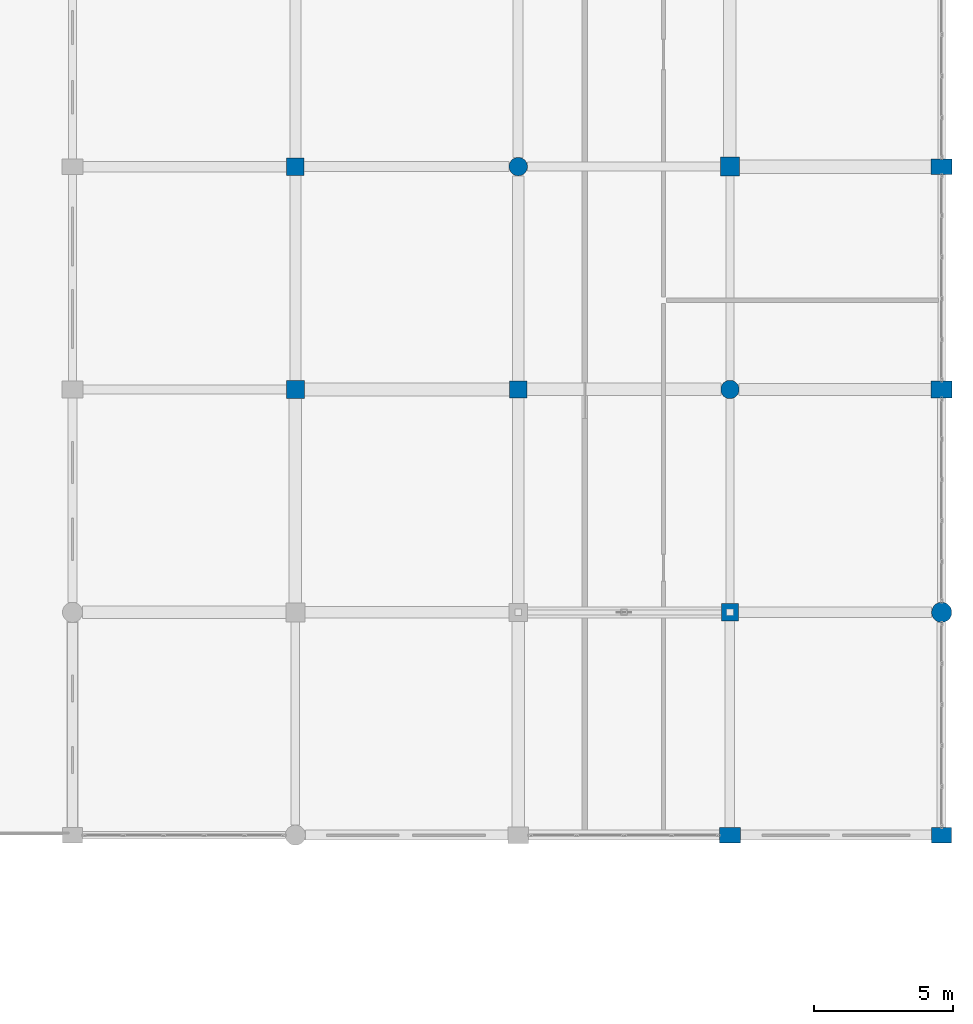
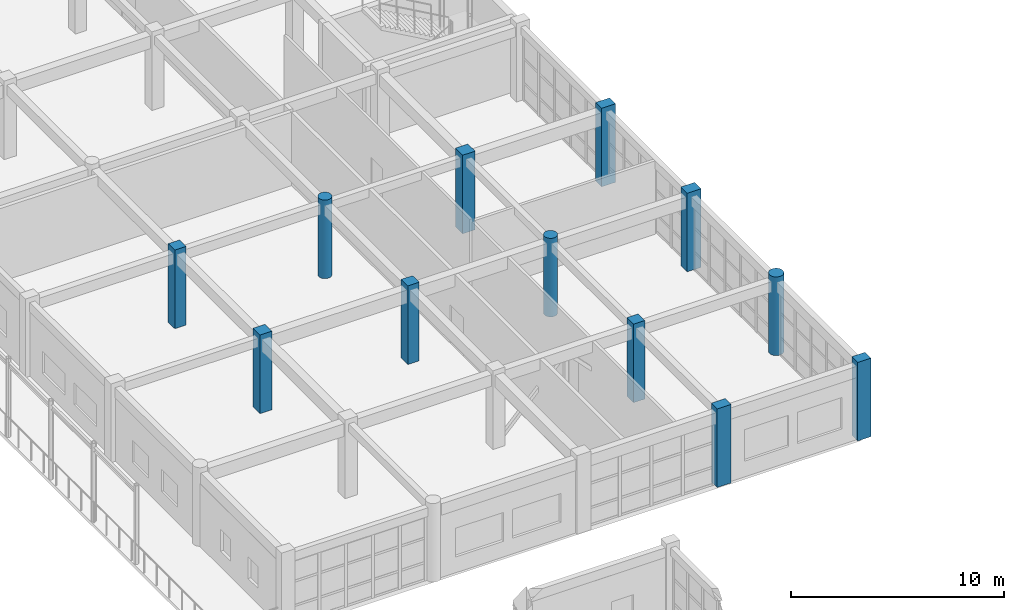
# One storey, part 30 of 160: 12 columns.
"""IFC4 building model written with IfcOpenShell, lengths in metres."""

import ifcopenshell
import ifcopenshell.guid

model = None  # the IFC model being written
_history = None  # IfcOwnerHistory: only IFC2X3 demands one
_inside = {}  # id of a spatial element -> (the spatial element, [elements in it])
_under = {}  # id of a project, library or spatial element -> (it, [spatial elements below it])
_declared = {}  # id of a project -> (the project, [libraries it declares])
_typed = {}  # id of a type object -> (the type object, [elements of that type])
_made_of = {}  # id of a material, layer set ... -> (it, [elements and type objects made of it])


def new_model(schema):
    """Start an empty IFC model of exactly this schema.

    Asked for "IFC4X3", IfcOpenShell would pick the latest addendum, in which some entities
    have other attributes; the version numbers below select the first issue.
    IFC2X3 requires an IfcOwnerHistory on every rooted entity: one is made here for all.
    """
    global model, _history
    if schema == "IFC4X3":
        model = ifcopenshell.file(schema_version=(4, 3, 0, 0))
    else:
        model = ifcopenshell.file(schema=schema)
    _inside.clear()
    _under.clear()
    _declared.clear()
    _typed.clear()
    _made_of.clear()
    _history = None
    if model.schema == "IFC2X3":
        org = make("IfcOrganization", Name="unknown")
        user = make(
            "IfcPersonAndOrganization",
            ThePerson=make("IfcPerson", FamilyName="unknown"),
            TheOrganization=org,
        )
        app = make(
            "IfcApplication",
            ApplicationDeveloper=org,
            Version="unknown",
            ApplicationFullName="unknown",
            ApplicationIdentifier="unknown",
        )
        _history = make(
            "IfcOwnerHistory",
            OwningUser=user,
            OwningApplication=app,
            ChangeAction="ADDED",
            CreationDate=0,
        )
    return model


def make(cls, **values):
    """One entity of the class cls with the attributes given. An attribute that is None is left unset."""
    return model.create_entity(
        cls, **{name: value for name, value in values.items() if value is not None}
    )


def rooted(cls, **values):
    """An entity with a GlobalId (a new one), such as an element, a storey or a relation."""
    return make(cls, GlobalId=ifcopenshell.guid.new(), OwnerHistory=_history, **values)


def si_unit(unit_type, name, prefix=None):
    """IfcSIUnit, for example si_unit("LENGTHUNIT", "METRE", prefix="MILLI")."""
    return make("IfcSIUnit", UnitType=unit_type, Prefix=prefix, Name=name)


def assignment(units):
    """IfcUnitAssignment: the units of a project."""
    return None if units is None else make("IfcUnitAssignment", Units=units)


def point(xyz):
    """IfcCartesianPoint."""
    return None if xyz is None else make("IfcCartesianPoint", Coordinates=xyz)


def direction(xyz):
    """IfcDirection."""
    return None if xyz is None else make("IfcDirection", DirectionRatios=xyz)


def frame(location, z_axis=None, x_axis=None):
    """IfcAxis2Placement3D, a coordinate frame: its origin and axes. An axis left out is left unset."""
    return make(
        "IfcAxis2Placement3D",
        Location=point(location),
        Axis=direction(z_axis),
        RefDirection=direction(x_axis),
    )


def frame_2d(location, x_axis=None):
    """IfcAxis2Placement2D, a coordinate frame in the plane: its origin and x axis."""
    return make(
        "IfcAxis2Placement2D", Location=point(location), RefDirection=direction(x_axis)
    )


def origin():
    """The frame at (0, 0, 0) with its axes left unset."""
    return frame((0.0, 0.0, 0.0))


def origin_2d():
    """The frame at (0, 0) in the plane with its x axis left unset."""
    return frame_2d((0.0, 0.0))


def place(relative_to, where):
    """IfcLocalPlacement: puts the frame where relative to a parent placement (None: the world)."""
    return make(
        "IfcLocalPlacement", PlacementRelTo=relative_to, RelativePlacement=where
    )


def context(
    kind, dimensions, precision=None, world=None, true_north=None, identifier=None
):
    """IfcGeometricRepresentationContext, for example the 3D "Model" context."""
    return make(
        "IfcGeometricRepresentationContext",
        ContextIdentifier=identifier,
        ContextType=kind,
        CoordinateSpaceDimension=dimensions,
        Precision=precision,
        WorldCoordinateSystem=world,
        TrueNorth=true_north,
    )


def subcontext(parent, identifier, kind, view, scale=None):
    """IfcGeometricRepresentationSubContext, for example "Body" below "Model"."""
    return make(
        "IfcGeometricRepresentationSubContext",
        ContextIdentifier=identifier,
        ContextType=kind,
        ParentContext=parent,
        TargetScale=scale,
        TargetView=view,
    )


def project(units=None, contexts=None):
    """IfcProject with its units and contexts."""
    return rooted(
        "IfcProject",
        Name="project",
        RepresentationContexts=contexts,
        UnitsInContext=assignment(units),
    )


def spatial(cls, under=None, at=None, **own):
    """A site, building, storey or space (cls), placed at a placement, below another one or the project."""
    s = rooted(cls, ObjectPlacement=at, **own)
    if under is not None:
        _under.setdefault(under.id(), (under, []))[1].append(s)
    return s


def profile(cls, at=None, kind="AREA", **sizes):
    """A parametric profile (cls). Its sizes go by their IFC names, for example OverallWidth=200.0."""
    return make(cls, ProfileType=kind, Position=at, **sizes)


def rectangle(**sizes):
    """IfcRectangleProfileDef."""
    return profile("IfcRectangleProfileDef", **sizes)


def circle(**sizes):
    """IfcCircleProfileDef."""
    return profile("IfcCircleProfileDef", **sizes)


def extrude(swept, where, along, depth):
    """IfcExtrudedAreaSolid: the profile swept, set in the frame where, extruded along a direction by depth."""
    return make(
        "IfcExtrudedAreaSolid",
        SweptArea=swept,
        Position=where,
        ExtrudedDirection=direction(along),
        Depth=depth,
    )


def shape(context_of_items, identifier, shape_type, items):
    """IfcShapeRepresentation: the items that make up one representation, for example the "Body"."""
    return make(
        "IfcShapeRepresentation",
        ContextOfItems=context_of_items,
        RepresentationIdentifier=identifier,
        RepresentationType=shape_type,
        Items=items,
    )


def material(Name=None, Category=None):
    """IfcMaterial."""
    return make("IfcMaterial", Name=Name, Category=Category)


def material_profile(
    of_material, cross_section, Name=None, Category=None, Priority=None
):
    """IfcMaterialProfile: a cross section and its material."""
    return make(
        "IfcMaterialProfile",
        Name=Name,
        Material=of_material,
        Profile=cross_section,
        Priority=Priority,
        Category=Category,
    )


def profile_set(profiles, Name=None, composite=None):
    """IfcMaterialProfileSet."""
    return make(
        "IfcMaterialProfileSet",
        Name=Name,
        MaterialProfiles=profiles,
        CompositeProfile=composite,
    )


def made_of(thing, what):
    """Note that an element or type object is made of a material, layer set ...; save() writes the relation."""
    if what is not None:
        _made_of.setdefault(what.id(), (what, []))[1].append(thing)
    return thing


def type_object(cls, material=None, **own):
    """A type object (cls), such as IfcWallType, which elements share."""
    return made_of(rooted(cls, **own), material)


def element(
    cls,
    number,
    at=None,
    inside=None,
    cuts=None,
    type_object=None,
    material=None,
    context=None,
    identifier="Body",
    shape_type=None,
    held_by="IfcProductDefinitionShape",
    body=None,
    shapes=None,
    **own,
):
    """One element of the class cls, such as IfcWall. Its Tag is "e" and its number.

    at: its placement. inside: the storey or other place that contains it. cuts: it is an
    opening in that element (IfcRelVoidsElement). A single representation is given by context,
    identifier, shape_type and body (its items); several are given by shapes. held_by: the class
    of the entity that holds the representations. save() writes the other relations.
    """
    e = rooted(cls, Tag="e%d" % number, ObjectPlacement=at, **own)
    if body is not None:
        shapes = [shape(context, identifier, shape_type, body)]
    if shapes is not None:
        e.Representation = make(held_by, Representations=shapes)
    if inside is not None:
        _inside.setdefault(inside.id(), (inside, []))[1].append(e)
    if cuts is not None:
        rooted(
            "IfcRelVoidsElement", RelatingBuildingElement=cuts, RelatedOpeningElement=e
        )
    if type_object is not None:
        _typed.setdefault(type_object.id(), (type_object, []))[1].append(e)
    return made_of(e, material)


def aggregate(whole, parts):
    """IfcRelAggregates: a whole, such as a stair, and the parts it consists of."""
    return rooted("IfcRelAggregates", RelatingObject=whole, RelatedObjects=parts)


def save(model, path):
    """Write the relations noted so far, then the file.

    IfcRelAggregates (storeys below a building ...), IfcRelContainedInSpatialStructure (elements
    in a storey), IfcRelDefinesByType, IfcRelAssociatesMaterial and IfcRelDeclares: one each for
    every whole, place, type object, material and project.
    """
    for whole, parts in _under.values():
        aggregate(whole, parts)
    for where, things in _inside.values():
        rooted(
            "IfcRelContainedInSpatialStructure",
            RelatedElements=things,
            RelatingStructure=where,
        )
    for kind, things in _typed.values():
        rooted("IfcRelDefinesByType", RelatedObjects=things, RelatingType=kind)
    for what, things in _made_of.values():
        rooted("IfcRelAssociatesMaterial", RelatedObjects=things, RelatingMaterial=what)
    for by, libraries in _declared.values():
        rooted("IfcRelDeclares", RelatingContext=by, RelatedDefinitions=libraries)
    model.write(path)


model = new_model("IFC4")

# Units and contexts
model_context = context("Model", 3, precision=1e-05, world=origin(), true_north=direction((0.0, 1.0)))
body_context = subcontext(model_context, "Body", "Model", "MODEL_VIEW")
ifc_project = project(units=[si_unit("LENGTHUNIT", "METRE"), si_unit("AREAUNIT", "SQUARE_METRE"), si_unit("VOLUMEUNIT", "CUBIC_METRE"), si_unit("PLANEANGLEUNIT", "RADIAN"), si_unit("MASSUNIT", "GRAM", prefix="KILO")], contexts=[model_context])

# Site, building, storey
site_placement = place(None, origin())
site = spatial("IfcSite", under=ifc_project, at=site_placement, CompositionType="ELEMENT")
building_placement = place(site_placement, origin())
building = spatial("IfcBuilding", under=site, at=building_placement, Name="Kharva Crest Polytechnic", CompositionType="ELEMENT")
storey_placement = place(building_placement, frame((0.0, 0.0, 4.5)))
storey = spatial("IfcBuildingStorey", under=building, at=storey_placement, Name="L01", CompositionType="ELEMENT", Elevation=4.5)

# Columns
ifc_material = material(Name="Concrete C40/50", Category="concrete")
ifc_material_profile_1 = material_profile(ifc_material, rectangle(XDim=0.719970703125, YDim=0.550048828125, at=origin_2d()), Name="RECT 720 X 550")
ifc_profile_set_1 = profile_set([ifc_material_profile_1], Name="Concrete C40/50")
column_type_1 = type_object("IfcColumnType", Name="COL-EXT-720X550", PredefinedType="COLUMN", material=ifc_profile_set_1)
column_1_placement = place(storey_placement, frame((184.0, 38.800048828125, 0.0), z_axis=(0.0, 0.0, 1.0), x_axis=(1.0, 0.0, 0.0)))
element("IfcColumn", 1, at=column_1_placement, inside=storey, type_object=column_type_1, Name="L01 Column 24/FJ", PredefinedType="COLUMN", context=body_context, shape_type="SweptSolid", body=[
    extrude(rectangle(XDim=0.719970703125, YDim=0.550048828125, at=origin_2d()), origin(), (0.0, 0.0, 1.0), 4.5),
])
ifc_material_profile_2 = material_profile(ifc_material, rectangle(XDim=0.75, YDim=0.550048828125, at=origin_2d()), Name="RECT 750 X 550")
ifc_profile_set_2 = profile_set([ifc_material_profile_2], Name="Concrete C40/50")
column_type_2 = type_object("IfcColumnType", Name="COL-EXT-750X550", PredefinedType="COLUMN", material=ifc_profile_set_2)
for number, where, z_axis, x_axis, name in (
    (2, (176.39990234375, 38.800048828125, 0.0), (0.0, 0.0, 1.0), (1.0, 0.0, 0.0), "L01 Column 23/FJ"),
    (3, (184.0, 62.800048828125, 0.0), (0.0, 0.0, 1.0), (1.0, 0.0, 0.0), "L01 Column 24/J"),
):
    element("IfcColumn", number, at=place(storey_placement, frame(where, z_axis=z_axis, x_axis=x_axis)), inside=storey, type_object=column_type_2, Name=name, PredefinedType="COLUMN", context=body_context, shape_type="SweptSolid", body=[
        extrude(rectangle(XDim=0.75, YDim=0.550048828125, at=origin_2d()), origin(), (0.0, 0.0, 1.0), 4.5),
    ])
ifc_material_profile_3 = material_profile(ifc_material, rectangle(XDim=0.75, YDim=0.60009765625, at=origin_2d()), Name="RECT 750 X 600")
ifc_profile_set_3 = profile_set([ifc_material_profile_3], Name="Concrete C40/50")
column_type_3 = type_object("IfcColumnType", Name="COL-EXT-750X600", PredefinedType="COLUMN", material=ifc_profile_set_3)
column_2_placement = place(storey_placement, frame((184.0, 54.800048828125, 0.0), z_axis=(0.0, 0.0, 1.0), x_axis=(1.0, 0.0, 0.0)))
element("IfcColumn", 4, at=column_2_placement, inside=storey, type_object=column_type_3, Name="L01 Column 24/H", PredefinedType="COLUMN", context=body_context, shape_type="SweptSolid", body=[
    extrude(rectangle(XDim=0.75, YDim=0.60009765625, at=origin_2d()), origin(), (0.0, 0.0, 1.0), 4.5),
])
ifc_material_profile_4 = material_profile(ifc_material, circle(Radius=0.360107421875, at=origin_2d()), Name="DIA 720")
ifc_profile_set_4 = profile_set([ifc_material_profile_4], Name="Concrete C40/50")
column_type_4 = type_object("IfcColumnType", Name="COL-EXT-DIA720", PredefinedType="COLUMN", material=ifc_profile_set_4)
column_3_placement = place(storey_placement, frame((184.0, 46.800048828125, 0.0), z_axis=(0.0, 0.0, 1.0), x_axis=(1.0, 0.0, 0.0)))
element("IfcColumn", 5, at=column_3_placement, inside=storey, type_object=column_type_4, Name="L01 Column 24/G", PredefinedType="COLUMN", context=body_context, shape_type="SweptSolid", body=[
    extrude(circle(Radius=0.360107421875, at=origin_2d()), origin(), (0.0, 0.0, 1.0), 4.5),
])
ifc_material_profile_5 = material_profile(ifc_material, rectangle(XDim=0.6201171875, YDim=0.6201171875, at=origin_2d()), Name="RECT 620 X 620")
ifc_profile_set_5 = profile_set([ifc_material_profile_5], Name="Concrete C40/50")
column_type_5 = type_object("IfcColumnType", Name="COL-INT-620X620", PredefinedType="COLUMN", material=ifc_profile_set_5)
for number, where, z_axis, x_axis, name in (
    (6, (160.800048828125, 62.800048828125, 0.0), (0.0, 0.0, 1.0), (1.0, 0.0, 0.0), "L01 Column 21/J"),
    (7, (168.800048828125, 54.800048828125, 0.0), (0.0, 0.0, 1.0), (1.0, 0.0, 0.0), "L01 Column 22/H"),
    (8, (176.39990234375, 46.800048828125, 0.0), (0.0, 0.0, 1.0), (1.0, 0.0, 0.0), "L01 Column 23/G"),
):
    element("IfcColumn", number, at=place(storey_placement, frame(where, z_axis=z_axis, x_axis=x_axis)), inside=storey, type_object=column_type_5, Name=name, PredefinedType="COLUMN", context=body_context, shape_type="SweptSolid", body=[
        extrude(rectangle(XDim=0.6201171875, YDim=0.6201171875, at=origin_2d()), origin(), (0.0, 0.0, 1.0), 4.5),
    ])
ifc_material_profile_6 = material_profile(ifc_material, rectangle(XDim=0.64990234375, YDim=0.64990234375, at=origin_2d()), Name="RECT 650 X 650")
ifc_profile_set_6 = profile_set([ifc_material_profile_6], Name="Concrete C40/50")
column_type_6 = type_object("IfcColumnType", Name="COL-INT-650X650", PredefinedType="COLUMN", material=ifc_profile_set_6)
column_4_placement = place(storey_placement, frame((160.800048828125, 54.800048828125, 0.0), z_axis=(0.0, 0.0, 1.0), x_axis=(1.0, 0.0, 0.0)))
element("IfcColumn", 9, at=column_4_placement, inside=storey, type_object=column_type_6, Name="L01 Column 21/H", PredefinedType="COLUMN", context=body_context, shape_type="SweptSolid", body=[
    extrude(rectangle(XDim=0.64990234375, YDim=0.64990234375, at=origin_2d()), origin(), (0.0, 0.0, 1.0), 4.5),
])
ifc_material_profile_7 = material_profile(ifc_material, rectangle(XDim=0.679931640625, YDim=0.679931640625, at=origin_2d()), Name="RECT 680 X 680")
ifc_profile_set_7 = profile_set([ifc_material_profile_7], Name="Concrete C40/50")
column_type_7 = type_object("IfcColumnType", Name="COL-INT-680X680", PredefinedType="COLUMN", material=ifc_profile_set_7)
column_5_placement = place(storey_placement, frame((176.39990234375, 62.800048828125, 0.0), z_axis=(0.0, 0.0, 1.0), x_axis=(1.0, 0.0, 0.0)))
element("IfcColumn", 10, at=column_5_placement, inside=storey, type_object=column_type_7, Name="L01 Column 23/J", PredefinedType="COLUMN", context=body_context, shape_type="SweptSolid", body=[
    extrude(rectangle(XDim=0.679931640625, YDim=0.679931640625, at=origin_2d()), origin(), (0.0, 0.0, 1.0), 4.5),
])
ifc_material_profile_8 = material_profile(ifc_material, circle(Radius=0.330078125, at=origin_2d()), Name="DIA 660")
ifc_profile_set_8 = profile_set([ifc_material_profile_8], Name="Concrete C40/50")
column_type_8 = type_object("IfcColumnType", Name="COL-INT-DIA660", PredefinedType="COLUMN", material=ifc_profile_set_8)
for number, where, z_axis, x_axis, name in (
    (11, (168.800048828125, 62.800048828125, 0.0), (0.0, 0.0, 1.0), (1.0, 0.0, 0.0), "L01 Column 22/J"),
    (12, (176.39990234375, 54.800048828125, 0.0), (0.0, 0.0, 1.0), (1.0, 0.0, 0.0), "L01 Column 23/H"),
):
    element("IfcColumn", number, at=place(storey_placement, frame(where, z_axis=z_axis, x_axis=x_axis)), inside=storey, type_object=column_type_8, Name=name, PredefinedType="COLUMN", context=body_context, shape_type="SweptSolid", body=[
        extrude(circle(Radius=0.330078125, at=origin_2d()), origin(), (0.0, 0.0, 1.0), 4.5),
    ])

save(model, "model.ifc")
